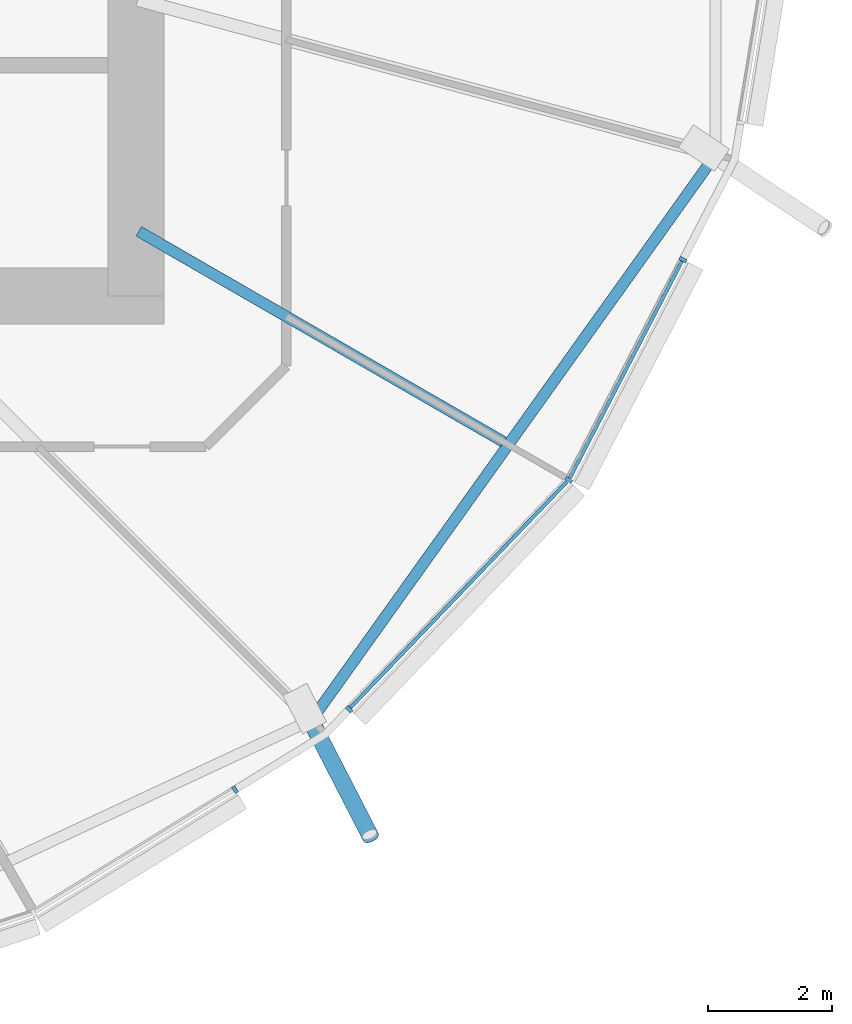
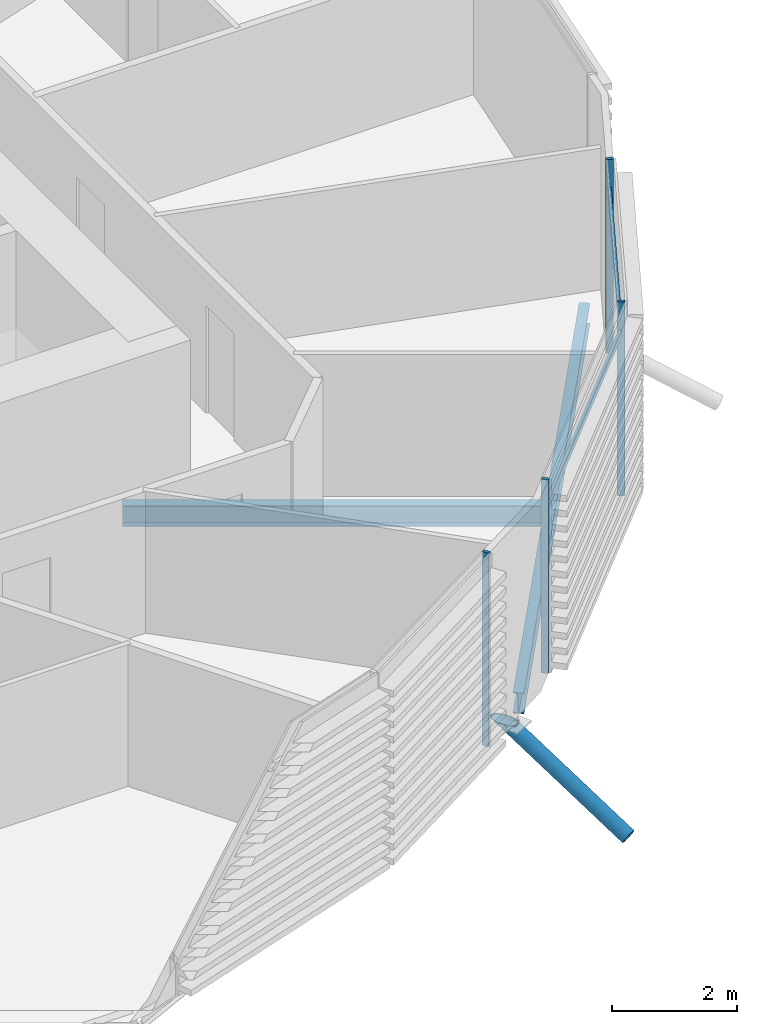
# One storey, part 6 of 37: 7 members, 2 beams, 1 element without a shape of its own.
"""IFC4 building model written with IfcOpenShell, lengths in metres."""

from ifc_helpers import new_model, si_unit, direction, frame, origin, origin_2d, place, context, subcontext, project, spatial, rectangle, hollow_circle, i_section, extrude, clip, halfspace, material, material_profile, profile_set, type_object, element, aggregate, save


model = new_model("IFC4")

# Units and contexts
model_context = context("Model", 3, precision=1e-05, world=origin(), true_north=direction((0.0, 1.0)))
body_context = subcontext(model_context, "Body", "Model", "MODEL_VIEW")
ifc_project = project(units=[si_unit("LENGTHUNIT", "METRE"), si_unit("AREAUNIT", "SQUARE_METRE"), si_unit("VOLUMEUNIT", "CUBIC_METRE"), si_unit("PLANEANGLEUNIT", "RADIAN"), si_unit("MASSUNIT", "GRAM", prefix="KILO")], contexts=[model_context])

# Site, building, storey
site_placement = place(None, origin())
site = spatial("IfcSite", under=ifc_project, at=site_placement, CompositionType="ELEMENT")
building_placement = place(site_placement, origin())
building = spatial("IfcBuilding", under=site, at=building_placement, Name="Rimbun Link Towers", CompositionType="ELEMENT")
storey_placement = place(building_placement, frame((0.0, 0.0, 45.199951171875)))
storey = spatial("IfcBuildingStorey", under=building, at=storey_placement, Name="L10", CompositionType="ELEMENT", Elevation=45.199951171875)

# Curtain wall, members
ifc_material_1 = material(Name="Aluminium 6063-T6 and low-iron glass", Category="aluminium")
curtain_wall_type = type_object("IfcCurtainWallType", Name="CW1 unitised vision wall", PredefinedType="NOTDEFINED", material=ifc_material_1)
curtain_wall_placement = place(storey_placement, origin())
curtain_wall = element("IfcCurtainWall", 1, at=curtain_wall_placement, inside=storey, type_object=curtain_wall_type, Name="CW1 L10 T1", PredefinedType="NOTDEFINED")
ifc_material_2 = material(Name="Aluminium 6063-T6", Category="aluminium")
ifc_material_profile_1 = material_profile(ifc_material_2, rectangle(XDim=0.1201171875, YDim=0.06005859375, at=origin_2d()), Name="MULLION 60X120")
ifc_profile_set_1 = profile_set([ifc_material_profile_1], Name="Aluminium 6063-T6")
member_type_1 = type_object("IfcMemberType", Name="CW1 mullion 60X120", PredefinedType="MULLION", material=ifc_profile_set_1)
member_1_placement = place(storey_placement, frame((-18.154052734375, -15.953857421875, 0.0), z_axis=(0.0, 0.0, 1.0), x_axis=(0.523240552823, -0.852185029135, 0.0)))
member_1 = element("IfcMember", 2, at=member_1_placement, type_object=member_type_1, Name="CW1 mullion", PredefinedType="MULLION", context=body_context, shape_type="SweptSolid", body=[
    extrude(rectangle(XDim=0.1201171875, YDim=0.06005859375, at=origin_2d()), origin(), (0.0, 0.0, 1.0), 3.800048828125),
])
member_2_placement = place(storey_placement, frame((-12.772216796875, -10.963623046875, 0.0), z_axis=(0.0, 0.0, 1.0), x_axis=(0.813348990661, -0.581776090426, 0.0)))
member_2 = element("IfcMember", 3, at=member_2_placement, type_object=member_type_1, Name="CW1 mullion", PredefinedType="MULLION", context=body_context, shape_type="SweptSolid", body=[
    extrude(rectangle(XDim=0.1201171875, YDim=0.06005859375, at=origin_2d()), origin(), (0.0, 0.0, 1.0), 3.800048828125),
])
member_3_placement = place(storey_placement, frame((-16.312744140625, -14.65771484375, 0.0), z_axis=(0.0, 0.0, 1.0), x_axis=(0.721848038908, -0.692051593976, 0.0)))
member_3 = element("IfcMember", 4, at=member_3_placement, type_object=member_type_1, Name="CW1 mullion", PredefinedType="MULLION", context=body_context, shape_type="SweptSolid", body=[
    extrude(rectangle(XDim=0.1201171875, YDim=0.06005859375, at=origin_2d()), origin(), (0.0, 0.0, 1.0), 3.800048828125),
])
member_4_placement = place(storey_placement, frame((-10.933349609375, -7.411376953125, 0.0), z_axis=(0.0, 0.0, 1.0), x_axis=(0.888149357416, -0.459554913934, 0.0)))
member_4 = element("IfcMember", 5, at=member_4_placement, type_object=member_type_1, Name="CW1 mullion", PredefinedType="MULLION", context=body_context, shape_type="SweptSolid", body=[
    extrude(rectangle(XDim=0.1201171875, YDim=0.06005859375, at=origin_2d()), origin(), (0.0, 0.0, 1.0), 3.800048828125),
])
ifc_material_3 = material(Name="Aluminium 6063-T6", Category="aluminium")
ifc_material_profile_2 = material_profile(ifc_material_3, rectangle(XDim=0.06005859375, YDim=0.1201171875, at=origin_2d()), Name="TRANSOM 60X120")
ifc_profile_set_2 = profile_set([ifc_material_profile_2], Name="Aluminium 6063-T6")
member_type_2 = type_object("IfcMemberType", Name="CW1 transom 60X120", PredefinedType="USERDEFINED", material=ifc_profile_set_2)
member_5_placement = place(storey_placement, frame((-12.7998046875, -10.990478515625, 3.199951171875), z_axis=(-0.69203034464, -0.721868410513, 0.0), x_axis=(0.721868410513, -0.69203034464, 0.0)))
member_5 = element("IfcMember", 6, at=member_5_placement, type_object=member_type_2, Name="CW1 transom", ObjectType="TRANSOM", PredefinedType="USERDEFINED", context=body_context, shape_type="SweptSolid", body=[
    extrude(rectangle(XDim=0.06005859375, YDim=0.1201171875, at=origin_2d()), origin(), (0.0, 0.0, 1.0), 5.04833984375),
])
member_6_placement = place(storey_placement, frame((-10.948974609375, -7.437255859375, 3.199951171875), z_axis=(-0.459566520124, -0.888143351932, 0.0), x_axis=(0.888143351932, -0.459566520124, 0.0)))
member_6 = element("IfcMember", 7, at=member_6_placement, type_object=member_type_2, Name="CW1 transom", ObjectType="TRANSOM", PredefinedType="USERDEFINED", context=body_context, shape_type="SweptSolid", body=[
    extrude(rectangle(XDim=0.06005859375, YDim=0.1201171875, at=origin_2d()), origin(), (0.0, 0.0, 1.0), 3.93115234375),
])
aggregate(curtain_wall, [member_1, member_2, member_3, member_4, member_5, member_6])

# Member
ifc_material_4 = material(Name="Steel S355J2H", Category="steel")
ifc_material_profile_3 = material_profile(ifc_material_4, hollow_circle(Radius=0.136474609375, WallThickness=0.012451171875, at=origin_2d()), Name="CHS 273x12.5")
ifc_profile_set_3 = profile_set([ifc_material_profile_3], Name="Steel S355J2H")
member_type_3 = type_object("IfcMemberType", Name="Floor edge link CHS 273x12.5", PredefinedType="BRACE", material=ifc_profile_set_3)
member_7_placement = place(storey_placement, frame((-16.953857421875, -14.796142578125, -0.81005859375), z_axis=(0.393906004546, -0.765330780788, -0.509025397756), x_axis=(0.889142546891, 0.457630343519, 0.0)))
element("IfcMember", 8, at=member_7_placement, inside=storey, type_object=member_type_3, Name="Floor edge link T1 L10 21", PredefinedType="BRACE", context=body_context, shape_type="Clipping", body=[
    clip(extrude(hollow_circle(Radius=0.136474609375, WallThickness=0.012451171875, at=origin_2d()), frame((0.0, 0.0, -0.4814453125)), (0.0, 0.0, 1.0), 3.0009765625), halfspace(frame((0.0, 0.0, -0.225830078125), z_axis=(0.0, 0.860751499818, -0.509025397756)), False)),
])

# Beams
ifc_material_5 = material(Name="Steel S355J2", Category="steel")
ifc_material_profile_4 = material_profile(ifc_material_5, i_section(OverallWidth=0.177978515625, OverallDepth=0.406494140625, WebThickness=0.0078125, FlangeThickness=0.0126953125, at=origin_2d()), Name="UB 406x178x60")
ifc_profile_set_4 = profile_set([ifc_material_profile_4], Name="Steel S355J2")
beam_type = type_object("IfcBeamType", Name="UB 406x178x60", PredefinedType="BEAM", material=ifc_profile_set_4)
beam_1_placement = place(storey_placement, frame((-19.70458984375, -6.954345703125, -0.363037109375), z_axis=(0.866019088595, -0.50001093807, 0.0), x_axis=(0.50001093807, 0.866019088595, 0.0)))
element("IfcBeam", 9, at=beam_1_placement, inside=storey, type_object=beam_type, Name="Radial beam T1 L10 22", PredefinedType="BEAM", context=body_context, shape_type="SweptSolid", body=[
    extrude(i_section(OverallWidth=0.177978515625, OverallDepth=0.406494140625, WebThickness=0.0078125, FlangeThickness=0.0126953125, at=origin_2d()), origin(), (0.0, 0.0, 1.0), 6.788330078125),
])
beam_2_placement = place(storey_placement, frame((-16.856201171875, -14.744384765625, -0.363037109375), z_axis=(0.581398033371, 0.813619276316, 0.0), x_axis=(-0.813619276316, 0.581398033371, 0.0)))
element("IfcBeam", 10, at=beam_2_placement, inside=storey, type_object=beam_type, Name="Edge beam T1 L10 21-23", PredefinedType="BEAM", context=body_context, shape_type="SweptSolid", body=[
    extrude(i_section(OverallWidth=0.177978515625, OverallDepth=0.406494140625, WebThickness=0.0078125, FlangeThickness=0.0126953125, at=origin_2d()), origin(), (0.0, 0.0, 1.0), 10.97998046875),
])

save(model, "model.ifc")
